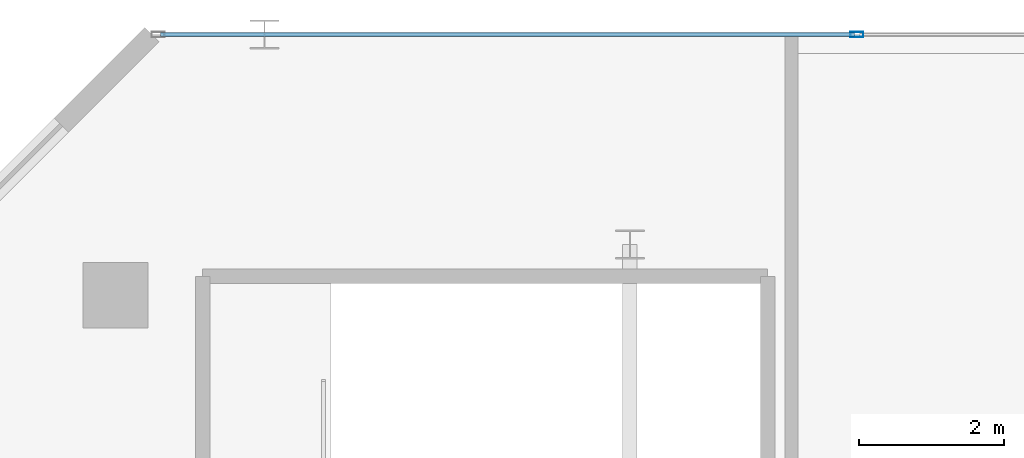
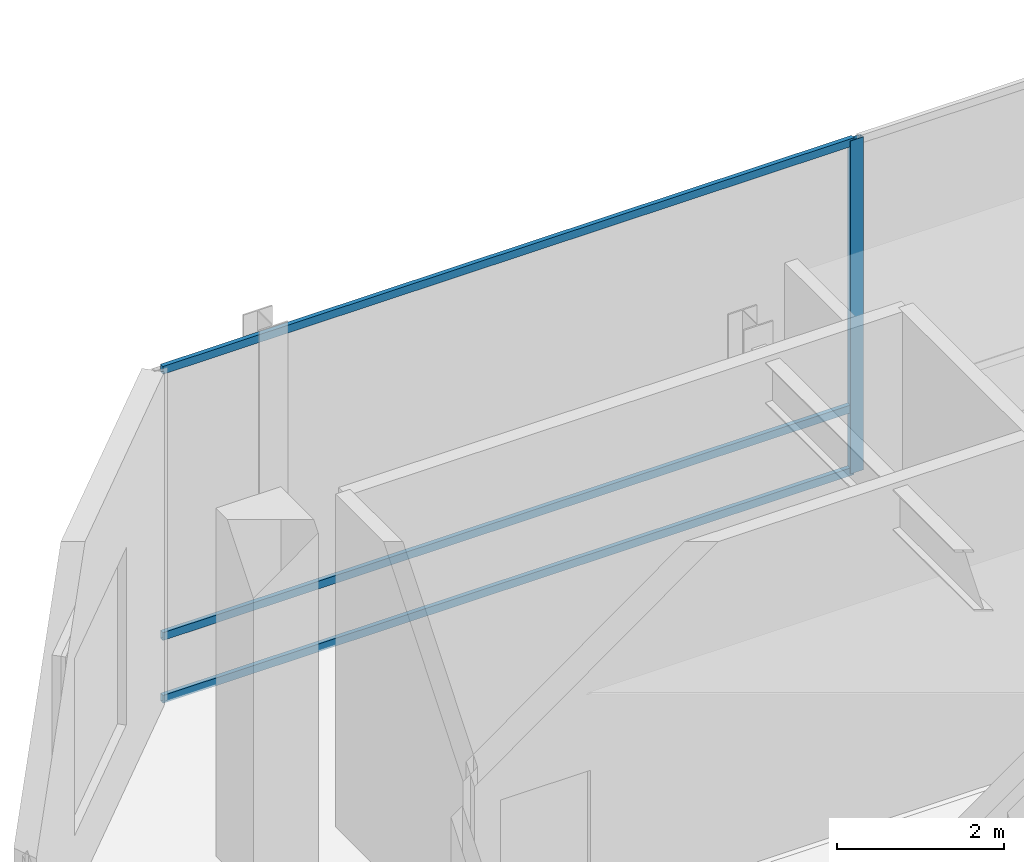
# One storey, part 18 of 40: 4 members, 1 element without a shape of its own.
"""IFC4 building model written with IfcOpenShell, lengths in metres."""

import ifcopenshell
import ifcopenshell.guid

model = None  # the IFC model being written
_history = None  # IfcOwnerHistory: only IFC2X3 demands one
_inside = {}  # id of a spatial element -> (the spatial element, [elements in it])
_under = {}  # id of a project, library or spatial element -> (it, [spatial elements below it])
_declared = {}  # id of a project -> (the project, [libraries it declares])
_typed = {}  # id of a type object -> (the type object, [elements of that type])
_made_of = {}  # id of a material, layer set ... -> (it, [elements and type objects made of it])


def new_model(schema):
    """Start an empty IFC model of exactly this schema.

    Asked for "IFC4X3", IfcOpenShell would pick the latest addendum, in which some entities
    have other attributes; the version numbers below select the first issue.
    IFC2X3 requires an IfcOwnerHistory on every rooted entity: one is made here for all.
    """
    global model, _history
    if schema == "IFC4X3":
        model = ifcopenshell.file(schema_version=(4, 3, 0, 0))
    else:
        model = ifcopenshell.file(schema=schema)
    _inside.clear()
    _under.clear()
    _declared.clear()
    _typed.clear()
    _made_of.clear()
    _history = None
    if model.schema == "IFC2X3":
        org = make("IfcOrganization", Name="unknown")
        user = make(
            "IfcPersonAndOrganization",
            ThePerson=make("IfcPerson", FamilyName="unknown"),
            TheOrganization=org,
        )
        app = make(
            "IfcApplication",
            ApplicationDeveloper=org,
            Version="unknown",
            ApplicationFullName="unknown",
            ApplicationIdentifier="unknown",
        )
        _history = make(
            "IfcOwnerHistory",
            OwningUser=user,
            OwningApplication=app,
            ChangeAction="ADDED",
            CreationDate=0,
        )
    return model


def make(cls, **values):
    """One entity of the class cls with the attributes given. An attribute that is None is left unset."""
    return model.create_entity(
        cls, **{name: value for name, value in values.items() if value is not None}
    )


def rooted(cls, **values):
    """An entity with a GlobalId (a new one), such as an element, a storey or a relation."""
    return make(cls, GlobalId=ifcopenshell.guid.new(), OwnerHistory=_history, **values)


def si_unit(unit_type, name, prefix=None):
    """IfcSIUnit, for example si_unit("LENGTHUNIT", "METRE", prefix="MILLI")."""
    return make("IfcSIUnit", UnitType=unit_type, Prefix=prefix, Name=name)


def assignment(units):
    """IfcUnitAssignment: the units of a project."""
    return None if units is None else make("IfcUnitAssignment", Units=units)


def point(xyz):
    """IfcCartesianPoint."""
    return None if xyz is None else make("IfcCartesianPoint", Coordinates=xyz)


def direction(xyz):
    """IfcDirection."""
    return None if xyz is None else make("IfcDirection", DirectionRatios=xyz)


def frame(location, z_axis=None, x_axis=None):
    """IfcAxis2Placement3D, a coordinate frame: its origin and axes. An axis left out is left unset."""
    return make(
        "IfcAxis2Placement3D",
        Location=point(location),
        Axis=direction(z_axis),
        RefDirection=direction(x_axis),
    )


def frame_2d(location, x_axis=None):
    """IfcAxis2Placement2D, a coordinate frame in the plane: its origin and x axis."""
    return make(
        "IfcAxis2Placement2D", Location=point(location), RefDirection=direction(x_axis)
    )


def origin():
    """The frame at (0, 0, 0) with its axes left unset."""
    return frame((0.0, 0.0, 0.0))


def origin_2d():
    """The frame at (0, 0) in the plane with its x axis left unset."""
    return frame_2d((0.0, 0.0))


def place(relative_to, where):
    """IfcLocalPlacement: puts the frame where relative to a parent placement (None: the world)."""
    return make(
        "IfcLocalPlacement", PlacementRelTo=relative_to, RelativePlacement=where
    )


def context(
    kind, dimensions, precision=None, world=None, true_north=None, identifier=None
):
    """IfcGeometricRepresentationContext, for example the 3D "Model" context."""
    return make(
        "IfcGeometricRepresentationContext",
        ContextIdentifier=identifier,
        ContextType=kind,
        CoordinateSpaceDimension=dimensions,
        Precision=precision,
        WorldCoordinateSystem=world,
        TrueNorth=true_north,
    )


def subcontext(parent, identifier, kind, view, scale=None):
    """IfcGeometricRepresentationSubContext, for example "Body" below "Model"."""
    return make(
        "IfcGeometricRepresentationSubContext",
        ContextIdentifier=identifier,
        ContextType=kind,
        ParentContext=parent,
        TargetScale=scale,
        TargetView=view,
    )


def project(units=None, contexts=None):
    """IfcProject with its units and contexts."""
    return rooted(
        "IfcProject",
        Name="project",
        RepresentationContexts=contexts,
        UnitsInContext=assignment(units),
    )


def spatial(cls, under=None, at=None, **own):
    """A site, building, storey or space (cls), placed at a placement, below another one or the project."""
    s = rooted(cls, ObjectPlacement=at, **own)
    if under is not None:
        _under.setdefault(under.id(), (under, []))[1].append(s)
    return s


def profile(cls, at=None, kind="AREA", **sizes):
    """A parametric profile (cls). Its sizes go by their IFC names, for example OverallWidth=200.0."""
    return make(cls, ProfileType=kind, Position=at, **sizes)


def hollow_rectangle(**sizes):
    """IfcRectangleHollowProfileDef."""
    return profile("IfcRectangleHollowProfileDef", **sizes)


def extrude(swept, where, along, depth):
    """IfcExtrudedAreaSolid: the profile swept, set in the frame where, extruded along a direction by depth."""
    return make(
        "IfcExtrudedAreaSolid",
        SweptArea=swept,
        Position=where,
        ExtrudedDirection=direction(along),
        Depth=depth,
    )


def shape(context_of_items, identifier, shape_type, items):
    """IfcShapeRepresentation: the items that make up one representation, for example the "Body"."""
    return make(
        "IfcShapeRepresentation",
        ContextOfItems=context_of_items,
        RepresentationIdentifier=identifier,
        RepresentationType=shape_type,
        Items=items,
    )


def material(Name=None, Category=None):
    """IfcMaterial."""
    return make("IfcMaterial", Name=Name, Category=Category)


def layer(
    of_material, thickness, ventilated=None, Name=None, Category=None, Priority=None
):
    """IfcMaterialLayer: one layer of a wall or slab, of a material (None: an air gap)."""
    return make(
        "IfcMaterialLayer",
        Material=of_material,
        LayerThickness=thickness,
        IsVentilated=ventilated,
        Name=Name,
        Category=Category,
        Priority=Priority,
    )


def layer_set(layers, Name=None):
    """IfcMaterialLayerSet."""
    return make("IfcMaterialLayerSet", MaterialLayers=layers, LayerSetName=Name)


def material_profile(
    of_material, cross_section, Name=None, Category=None, Priority=None
):
    """IfcMaterialProfile: a cross section and its material."""
    return make(
        "IfcMaterialProfile",
        Name=Name,
        Material=of_material,
        Profile=cross_section,
        Priority=Priority,
        Category=Category,
    )


def profile_set(profiles, Name=None, composite=None):
    """IfcMaterialProfileSet."""
    return make(
        "IfcMaterialProfileSet",
        Name=Name,
        MaterialProfiles=profiles,
        CompositeProfile=composite,
    )


def made_of(thing, what):
    """Note that an element or type object is made of a material, layer set ...; save() writes the relation."""
    if what is not None:
        _made_of.setdefault(what.id(), (what, []))[1].append(thing)
    return thing


def type_object(cls, material=None, **own):
    """A type object (cls), such as IfcWallType, which elements share."""
    return made_of(rooted(cls, **own), material)


def element(
    cls,
    number,
    at=None,
    inside=None,
    cuts=None,
    type_object=None,
    material=None,
    context=None,
    identifier="Body",
    shape_type=None,
    held_by="IfcProductDefinitionShape",
    body=None,
    shapes=None,
    **own,
):
    """One element of the class cls, such as IfcWall. Its Tag is "e" and its number.

    at: its placement. inside: the storey or other place that contains it. cuts: it is an
    opening in that element (IfcRelVoidsElement). A single representation is given by context,
    identifier, shape_type and body (its items); several are given by shapes. held_by: the class
    of the entity that holds the representations. save() writes the other relations.
    """
    e = rooted(cls, Tag="e%d" % number, ObjectPlacement=at, **own)
    if body is not None:
        shapes = [shape(context, identifier, shape_type, body)]
    if shapes is not None:
        e.Representation = make(held_by, Representations=shapes)
    if inside is not None:
        _inside.setdefault(inside.id(), (inside, []))[1].append(e)
    if cuts is not None:
        rooted(
            "IfcRelVoidsElement", RelatingBuildingElement=cuts, RelatedOpeningElement=e
        )
    if type_object is not None:
        _typed.setdefault(type_object.id(), (type_object, []))[1].append(e)
    return made_of(e, material)


def aggregate(whole, parts):
    """IfcRelAggregates: a whole, such as a stair, and the parts it consists of."""
    return rooted("IfcRelAggregates", RelatingObject=whole, RelatedObjects=parts)


def save(model, path):
    """Write the relations noted so far, then the file.

    IfcRelAggregates (storeys below a building ...), IfcRelContainedInSpatialStructure (elements
    in a storey), IfcRelDefinesByType, IfcRelAssociatesMaterial and IfcRelDeclares: one each for
    every whole, place, type object, material and project.
    """
    for whole, parts in _under.values():
        aggregate(whole, parts)
    for where, things in _inside.values():
        rooted(
            "IfcRelContainedInSpatialStructure",
            RelatedElements=things,
            RelatingStructure=where,
        )
    for kind, things in _typed.values():
        rooted("IfcRelDefinesByType", RelatedObjects=things, RelatingType=kind)
    for what, things in _made_of.values():
        rooted("IfcRelAssociatesMaterial", RelatedObjects=things, RelatingMaterial=what)
    for by, libraries in _declared.values():
        rooted("IfcRelDeclares", RelatingContext=by, RelatedDefinitions=libraries)
    model.write(path)


model = new_model("IFC4")

# Units and contexts
model_context = context("Model", 3, precision=1e-05, world=origin(), true_north=direction((0.0, 1.0)))
body_context = subcontext(model_context, "Body", "Model", "MODEL_VIEW")
ifc_project = project(units=[si_unit("LENGTHUNIT", "METRE"), si_unit("AREAUNIT", "SQUARE_METRE"), si_unit("VOLUMEUNIT", "CUBIC_METRE"), si_unit("PLANEANGLEUNIT", "RADIAN"), si_unit("MASSUNIT", "GRAM", prefix="KILO")], contexts=[model_context])

# Site, building, storey
site_placement = place(None, origin())
site = spatial("IfcSite", under=ifc_project, at=site_placement, CompositionType="ELEMENT")
building_placement = place(site_placement, origin())
building = spatial("IfcBuilding", under=site, at=building_placement, Name="Qianvela Tower", CompositionType="ELEMENT")
storey_placement = place(building_placement, frame((0.0, 0.0, 20.60009765625)))
storey = spatial("IfcBuildingStorey", under=building, at=storey_placement, Name="L04", CompositionType="ELEMENT", Elevation=20.60009765625)

# Curtain wall, members
ifc_material_1 = material(Name="Anodised Architectural Aluminium and Low-E Glass", Category="aluminium")
ifc_layer = layer(ifc_material_1, 0.179931640625)
ifc_layer_set = layer_set([ifc_layer], Name="Anodised Architectural Aluminium and Low-E Glass")
curtain_wall_type = type_object("IfcCurtainWallType", Name="CW-COMMONS", PredefinedType="USERDEFINED", material=ifc_layer_set)
curtain_wall_placement = place(storey_placement, origin())
curtain_wall = element("IfcCurtainWall", 1, at=curtain_wall_placement, inside=storey, type_object=curtain_wall_type, Name="L04 CW-COMMONS Curtain Wall 05", ObjectType="CURTAIN_WALL_SYSTEM", PredefinedType="USERDEFINED")
ifc_material_2 = material(Name="Anodised Architectural Aluminium 6063-T6", Category="aluminium")
ifc_material_profile_1 = material_profile(ifc_material_2, hollow_rectangle(XDim=0.070068359375, YDim=0.179931640625, WallThickness=0.0048828125, at=origin_2d()), Name="ALU-MULL-70x180")
ifc_profile_set_1 = profile_set([ifc_material_profile_1], Name="Anodised Architectural Aluminium 6063-T6")
member_type_1 = type_object("IfcMemberType", Name="CW-COMMONS-MULL", PredefinedType="MULLION", material=ifc_profile_set_1)
member_1_placement = place(storey_placement, frame((18.13330078125, 47.5, 0.0), z_axis=(0.0, 0.0, 1.0), x_axis=(0.0, -1.0, 0.0)))
member_1 = element("IfcMember", 2, at=member_1_placement, type_object=member_type_1, Name="CW-2 mullion 6", PredefinedType="MULLION", context=body_context, shape_type="SweptSolid", body=[
    extrude(hollow_rectangle(XDim=0.070068359375, YDim=0.179931640625, WallThickness=0.0048828125, at=origin_2d()), origin(), (0.0, 0.0, 1.0), 4.8798828125),
])
ifc_material_3 = material(Name="Anodised Architectural Aluminium 6063-T6", Category="aluminium")
ifc_material_profile_2 = material_profile(ifc_material_3, hollow_rectangle(XDim=0.06005859375, YDim=0.114990234375, WallThickness=0.00390625, at=origin_2d()), Name="ALU-TRAN-60x115")
ifc_profile_set_2 = profile_set([ifc_material_profile_2], Name="Anodised Architectural Aluminium 6063-T6")
member_type_2 = type_object("IfcMemberType", Name="CW-COMMONS-TRAN", PredefinedType="USERDEFINED", material=ifc_profile_set_2)
member_2_placement = place(storey_placement, frame((18.098388671875, 47.5, 0.02978515625), z_axis=(-1.0, 0.0, 0.0), x_axis=(0.0, -1.0, 0.0)))
member_2 = element("IfcMember", 3, at=member_2_placement, type_object=member_type_2, Name="CW-2 transom 6.1", ObjectType="TRANSOM", PredefinedType="USERDEFINED", context=body_context, shape_type="SweptSolid", body=[
    extrude(hollow_rectangle(XDim=0.06005859375, YDim=0.114990234375, WallThickness=0.00390625, at=origin_2d()), origin(), (0.0, 0.0, 1.0), 9.578369140625),
])
member_3_placement = place(storey_placement, frame((18.098388671875, 47.5, 0.949951171875), z_axis=(-1.0, 0.0, 0.0), x_axis=(0.0, -1.0, 0.0)))
member_3 = element("IfcMember", 4, at=member_3_placement, type_object=member_type_2, Name="CW-2 transom 6.2", ObjectType="TRANSOM", PredefinedType="USERDEFINED", context=body_context, shape_type="SweptSolid", body=[
    extrude(hollow_rectangle(XDim=0.06005859375, YDim=0.114990234375, WallThickness=0.00390625, at=origin_2d()), origin(), (0.0, 0.0, 1.0), 9.578369140625),
])
member_4_placement = place(storey_placement, frame((18.098388671875, 47.5, 4.849853515625), z_axis=(-1.0, 0.0, 0.0), x_axis=(0.0, -1.0, 0.0)))
member_4 = element("IfcMember", 5, at=member_4_placement, type_object=member_type_2, Name="CW-2 transom 6.3", ObjectType="TRANSOM", PredefinedType="USERDEFINED", context=body_context, shape_type="SweptSolid", body=[
    extrude(hollow_rectangle(XDim=0.06005859375, YDim=0.114990234375, WallThickness=0.00390625, at=origin_2d()), origin(), (0.0, 0.0, 1.0), 9.578369140625),
])
aggregate(curtain_wall, [member_1, member_2, member_3, member_4])

save(model, "model.ifc")
